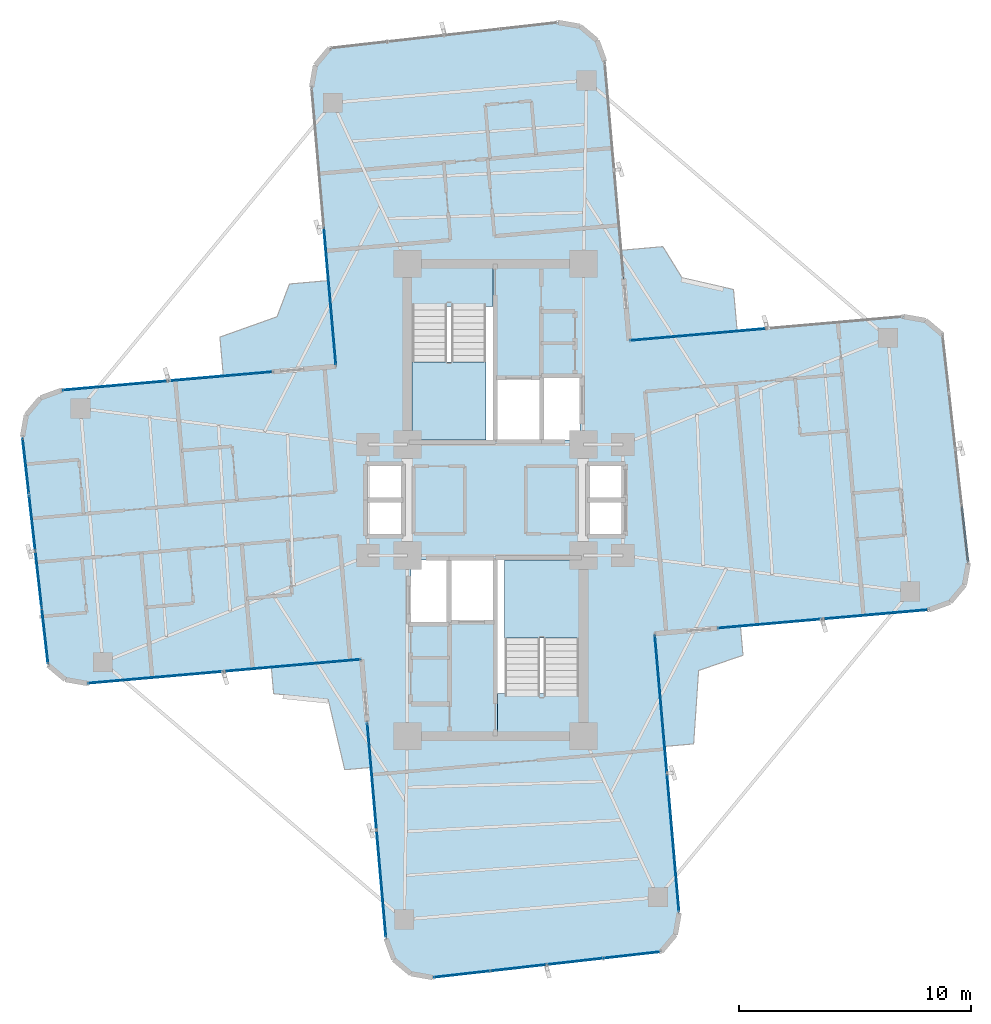
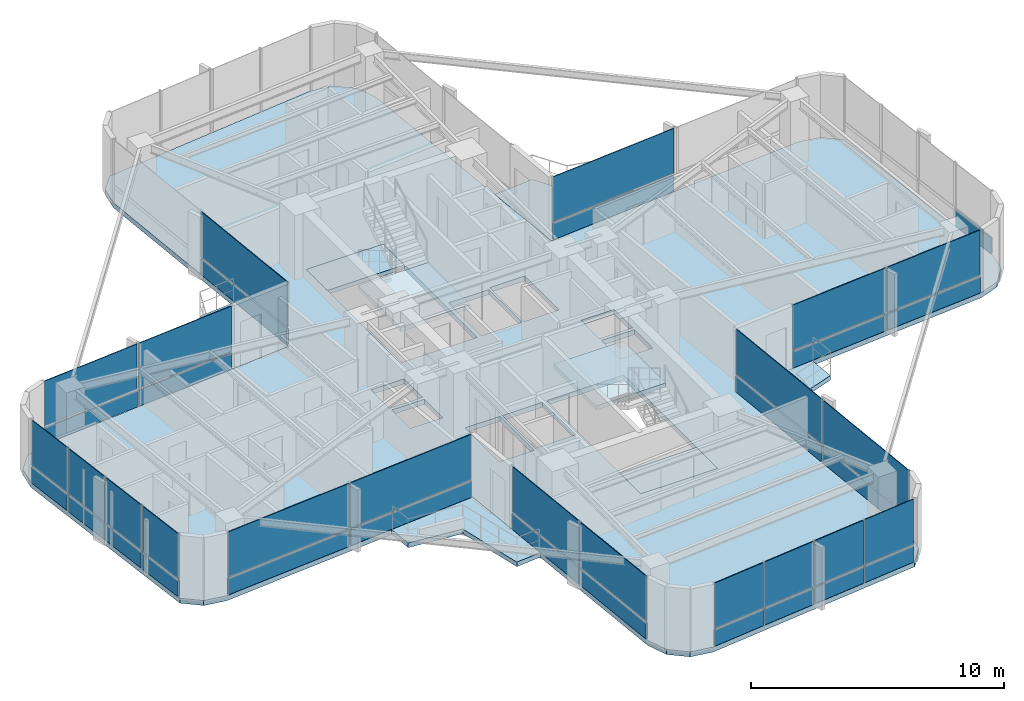
# One storey, part 19 of 24: 41 plates, 9 slabs, 12 elements without a shape of their own.
"""IFC4 building model written with IfcOpenShell, lengths in metres."""

from ifc_helpers import new_model, si_unit, direction, frame, origin, origin_2d, place, context, subcontext, project, spatial, polyline, rectangle, outline, extrude, source, transform, mapped, material, layer, layer_set, type_object, element, aggregate, save


model = new_model("IFC4")

# Units and contexts
model_context = context("Model", 3, precision=1e-05, world=origin(), true_north=direction((0.0, 1.0)))
body_context = subcontext(model_context, "Body", "Model", "MODEL_VIEW")
ifc_project = project(units=[si_unit("LENGTHUNIT", "METRE"), si_unit("AREAUNIT", "SQUARE_METRE"), si_unit("VOLUMEUNIT", "CUBIC_METRE"), si_unit("PLANEANGLEUNIT", "RADIAN"), si_unit("MASSUNIT", "GRAM", prefix="KILO")], contexts=[model_context])

# Site, building, storey
site_placement = place(None, origin())
site = spatial("IfcSite", under=ifc_project, at=site_placement, CompositionType="ELEMENT")
building_placement = place(site_placement, origin())
building = spatial("IfcBuilding", under=site, at=building_placement, Name="Sahyath Konkavel Grand Hotel", CompositionType="ELEMENT")
storey_placement = place(building_placement, frame((0.0, 0.0, 153.949951171875)))
storey = spatial("IfcBuildingStorey", under=building, at=storey_placement, Name="L42", CompositionType="ELEMENT", Elevation=153.949951171875)

# Slabs
ifc_material_1 = material(Name="Concrete C40/50", Category="concrete")
ifc_layer_1 = layer(ifc_material_1, 0.239990234375)
ifc_layer_set_1 = layer_set([ifc_layer_1], Name="Concrete C40/50")
slab_type_1 = type_object("IfcSlabType", Name="SLB-240", PredefinedType="FLOOR", material=ifc_layer_set_1)
slab_1_placement = place(storey_placement, frame((0.0, 0.0, -0.239990234375)))
element("IfcSlab", 1, at=slab_1_placement, inside=storey, type_object=slab_type_1, Name="L42 Structural Floor Slab", PredefinedType="FLOOR", context=body_context, shape_type="SweptSolid", body=[
    extrude(outline(polyline([(6.87939453125, -5.7724609375), (18.73388671875, -4.735107421875), (19.6337890625, -4.40771484375), (20.24951171875, -3.674072265625), (20.415771484375, -2.73095703125), (19.3037109375, 7.134521484375), (18.5703125, 7.75), (17.627197265625, 7.91650390625), (5.7724609375, 6.87939453125), (4.7177734375, 18.93310546875), (4.390380859375, 19.8330078125), (3.65673828125, 20.44873046875), (2.713623046875, 20.614990234375), (-7.152099609375, 19.5029296875), (-7.767578125, 18.769287109375), (-7.933837890625, 17.826416015625), (-6.87939453125, 5.7724609375), (-18.73388671875, 4.735107421875), (-19.6337890625, 4.40771484375), (-20.24951171875, 3.674072265625), (-20.415771484375, 2.73095703125), (-19.3037109375, -7.134521484375), (-18.5703125, -7.75), (-17.627197265625, -7.91650390625), (-5.7724609375, -6.87939453125), (-4.7177734375, -18.93310546875), (-4.390380859375, -19.8330078125), (-3.65673828125, -20.44873046875), (-2.713623046875, -20.614990234375), (7.152099609375, -19.5029296875), (7.767578125, -18.769287109375), (7.933837890625, -17.826416015625), (6.87939453125, -5.7724609375)]), holes=[polyline([(-3.6201171875, 2.580078125), (-0.10009765625, 2.580078125), (-0.10009765625, 10.02001953125), (-3.6201171875, 10.02001953125), (-3.6201171875, 2.580078125)]), polyline([(0.10009765625, -10.02001953125), (3.6201171875, -10.02001953125), (3.6201171875, -2.580078125), (0.10009765625, -2.580078125), (0.10009765625, -10.02001953125)]), polyline([(0.10009765625, 2.60009765625), (1.949951171875, 2.60009765625), (1.949951171875, 5.199951171875), (0.10009765625, 5.199951171875), (0.10009765625, 2.60009765625)]), polyline([(-1.949951171875, -5.199951171875), (-0.10009765625, -5.199951171875), (-0.10009765625, -2.60009765625), (-1.949951171875, -2.60009765625), (-1.949951171875, -5.199951171875)]), polyline([(2.050048828125, 2.60009765625), (3.64990234375, 2.60009765625), (3.64990234375, 5.300048828125), (2.050048828125, 5.300048828125), (2.050048828125, 2.60009765625)]), polyline([(-3.64990234375, -5.300048828125), (-2.050048828125, -5.300048828125), (-2.050048828125, -2.60009765625), (-3.64990234375, -2.60009765625), (-3.64990234375, -5.300048828125)]), polyline([(4.050048828125, 0.080078125), (5.550048828125, 0.080078125), (5.550048828125, 1.5400390625), (4.050048828125, 1.5400390625), (4.050048828125, 0.080078125)]), polyline([(4.050048828125, -1.5400390625), (5.550048828125, -1.5400390625), (5.550048828125, -0.080078125), (4.050048828125, -0.080078125), (4.050048828125, -1.5400390625)]), polyline([(-5.550048828125, 0.080078125), (-4.050048828125, 0.080078125), (-4.050048828125, 1.5400390625), (-5.550048828125, 1.5400390625), (-5.550048828125, 0.080078125)]), polyline([(-5.550048828125, -1.5400390625), (-4.050048828125, -1.5400390625), (-4.050048828125, -0.080078125), (-5.550048828125, -0.080078125), (-5.550048828125, -1.5400390625)])]), origin(), (0.0, 0.0, 1.0), 0.239990234375),
])
ifc_layer_2 = layer(ifc_material_1, 0.219970703125)
ifc_layer_set_2 = layer_set([ifc_layer_2], Name="Concrete C40/50")
slab_type_2 = type_object("IfcSlabType", Name="SLB-BALCONY-220", PredefinedType="FLOOR", material=ifc_layer_set_2)
slab_2_placement = place(storey_placement, frame((0.0, 0.0, -0.219970703125)))
element("IfcSlab", 2, at=slab_2_placement, inside=storey, type_object=slab_type_2, Name="L42 Winter-Garden Balcony NE", PredefinedType="FLOOR", context=body_context, shape_type="SweptSolid", body=[
    extrude(outline(polyline([(5.7724609375, 6.87939453125), (10.438720703125, 7.28759765625), (10.281005859375, 9.087890625), (8.05419921875, 9.598388671875), (7.2314453125, 10.93798828125), (5.43115234375, 10.780517578125), (5.7724609375, 6.87939453125)])), origin(), (0.0, 0.0, 1.0), 0.219970703125),
])
slab_3_placement = place(storey_placement, frame((0.0, 0.0, -0.219970703125)))
element("IfcSlab", 3, at=slab_3_placement, inside=storey, type_object=slab_type_2, Name="L42 Winter-Garden Balcony NW", PredefinedType="FLOOR", context=body_context, shape_type="SweptSolid", body=[
    extrude(outline(polyline([(-6.87939453125, 5.7724609375), (-7.203125, 9.473388671875), (-8.89013671875, 9.32568359375), (-9.42724609375, 7.910400390625), (-11.893310546875, 7.03369140625), (-11.74560546875, 5.3466796875), (-6.87939453125, 5.7724609375)])), origin(), (0.0, 0.0, 1.0), 0.219970703125),
])
slab_4_placement = place(storey_placement, frame((0.0, 0.0, -0.219970703125)))
element("IfcSlab", 4, at=slab_4_placement, inside=storey, type_object=slab_type_2, Name="L42 Winter-Garden Balcony SW", PredefinedType="FLOOR", context=body_context, shape_type="SweptSolid", body=[
    extrude(outline(polyline([(-5.7724609375, -6.87939453125), (-9.673583984375, -7.220703125), (-9.57373046875, -8.361083984375), (-7.2177734375, -8.601806640625), (-6.504638671875, -11.645263671875), (-5.3642578125, -11.54541015625), (-5.7724609375, -6.87939453125)])), origin(), (0.0, 0.0, 1.0), 0.219970703125),
])
slab_5_placement = place(storey_placement, frame((0.0, 0.0, -0.219970703125)))
element("IfcSlab", 5, at=slab_5_placement, inside=storey, type_object=slab_type_2, Name="L42 Winter-Garden Balcony SE", PredefinedType="FLOOR", context=body_context, shape_type="SweptSolid", body=[
    extrude(outline(polyline([(6.87939453125, -5.7724609375), (7.304931640625, -10.638916015625), (8.558837890625, -10.529052734375), (8.77294921875, -7.361328125), (10.689697265625, -6.702392578125), (10.580078125, -5.448486328125), (6.87939453125, -5.7724609375)])), origin(), (0.0, 0.0, 1.0), 0.219970703125),
])

# Stair, slab
stair_type = type_object("IfcStairType", Name="STR-ST16-335", PredefinedType="HALF_TURN_STAIR", material=ifc_material_1)
stair_1_placement = place(storey_placement, origin())
stair_1 = element("IfcStair", 6, at=stair_1_placement, inside=storey, type_object=stair_type, Name="L42 North Core Smokeproof Exit Stair ST-1", PredefinedType="HALF_TURN_STAIR")
ifc_layer_3 = layer(ifc_material_1, 0.199951171875)
ifc_layer_set_3 = layer_set([ifc_layer_3], Name="Concrete C40/50")
slab_type_3 = type_object("IfcSlabType", Name="SLB-STAIR-LND", PredefinedType="LANDING", material=ifc_layer_set_3)
slab_6_placement = place(storey_placement, frame((0.0, 0.0, 1.47509765625)))
slab_6 = element("IfcSlab", 7, at=slab_6_placement, type_object=slab_type_3, Name="ST-1 landing 1", PredefinedType="LANDING", context=body_context, shape_type="SweptSolid", body=[
    extrude(outline(polyline([(-3.60009765625, 5.9599609375), (-3.60009765625, 2.60009765625), (-0.39990234375, 2.60009765625), (-0.39990234375, 5.9599609375), (-3.60009765625, 5.9599609375)])), origin(), (0.0, 0.0, 1.0), 0.199951171875),
])
aggregate(stair_1, [slab_6])

stair_2_placement = place(storey_placement, origin())
stair_2 = element("IfcStair", 8, at=stair_2_placement, inside=storey, type_object=stair_type, Name="L42 South Core Smokeproof Exit Stair ST-2", PredefinedType="HALF_TURN_STAIR")
slab_7_placement = place(storey_placement, frame((0.0, 0.0, 1.47509765625)))
slab_7 = element("IfcSlab", 9, at=slab_7_placement, type_object=slab_type_3, Name="ST-2 landing 1", PredefinedType="LANDING", context=body_context, shape_type="SweptSolid", body=[
    extrude(outline(polyline([(3.60009765625, -5.9599609375), (3.60009765625, -2.60009765625), (0.39990234375, -2.60009765625), (0.39990234375, -5.9599609375), (3.60009765625, -5.9599609375)])), origin(), (0.0, 0.0, 1.0), 0.199951171875),
])
aggregate(stair_2, [slab_7])

# Slabs
slab_8_placement = place(storey_placement, frame((0.0, 0.0, -0.199951171875)))
element("IfcSlab", 10, at=slab_8_placement, inside=storey, type_object=slab_type_3, Name="L42 Stair ST-1 Floor Landing Slab", PredefinedType="LANDING", context=body_context, shape_type="SweptSolid", body=[
    extrude(outline(polyline([(-3.6201171875, 8.35009765625), (-0.10009765625, 8.35009765625), (-0.10009765625, 10.02001953125), (-3.6201171875, 10.02001953125), (-3.6201171875, 8.35009765625)])), origin(), (0.0, 0.0, 1.0), 0.199951171875),
])
slab_9_placement = place(storey_placement, frame((0.0, 0.0, -0.199951171875)))
element("IfcSlab", 11, at=slab_9_placement, inside=storey, type_object=slab_type_3, Name="L42 Stair ST-2 Floor Landing Slab", PredefinedType="LANDING", context=body_context, shape_type="SweptSolid", body=[
    extrude(outline(polyline([(0.10009765625, -10.02001953125), (3.6201171875, -10.02001953125), (3.6201171875, -8.35009765625), (0.10009765625, -8.35009765625), (0.10009765625, -10.02001953125)])), origin(), (0.0, 0.0, 1.0), 0.199951171875),
])

# Curtain wall, plates
ifc_material_2 = material(Name="Anodised Bronze Aluminium & Low-E Glazing", Category="aluminium")
curtain_wall_type = type_object("IfcCurtainWallType", Name="CW-ZONE3", PredefinedType="NOTDEFINED", material=ifc_material_2)
curtain_wall_1_placement = place(storey_placement, origin())
curtain_wall_1 = element("IfcCurtainWall", 12, at=curtain_wall_1_placement, inside=storey, type_object=curtain_wall_type, Name="L42 Unitised Curtain Wall F0", PredefinedType="NOTDEFINED")
ifc_material_3 = material(Name="Warm Buff Sandstone Cladding", Category="masonry")
ifc_layer_4 = layer(ifc_material_3, 0.074951171875)
ifc_layer_set_4 = layer_set([ifc_layer_4], Name="Warm Buff Sandstone Cladding")
plate_type_1 = type_object("IfcPlateType", Name="PNL-SPANDREL-STONE", PredefinedType="SHEET", material=ifc_layer_set_4)
shared_shape_1 = source(origin(), body_context, "Body", "SweptSolid", [
    extrude(rectangle(XDim=4.47998046875, YDim=0.074951171875, at=origin_2d()), origin(), (0.0, 0.0, 1.0), 0.77001953125),
])
plate_1_placement = place(storey_placement, frame((11.880126953125, -5.334716796875, 0.0400390625), z_axis=(0.0, 0.0, 1.0), x_axis=(0.996194698092, 0.087155742748, 0.0)))
plate_1 = element("IfcPlate", 13, at=plate_1_placement, type_object=plate_type_1, Name="L42 Sandstone Relief Spandrel Panel F0-0", PredefinedType="SHEET", context=body_context, shape_type="MappedRepresentation", body=[
    mapped(shared_shape_1, transform((0.0, 0.0, 0.0), scale=1.0)),
])
plate_2_placement = place(storey_placement, frame((16.4228515625, -4.9375, 0.0400390625), z_axis=(0.0, 0.0, 1.0), x_axis=(0.996194698092, 0.087155742748, 0.0)))
plate_2 = element("IfcPlate", 14, at=plate_2_placement, type_object=plate_type_1, Name="L42 Sandstone Relief Spandrel Panel F0-1", PredefinedType="SHEET", context=body_context, shape_type="MappedRepresentation", body=[
    mapped(shared_shape_1, transform((0.0, 0.0, 0.0), scale=1.0)),
])

curtain_wall_2_placement = place(storey_placement, origin())
curtain_wall_2 = element("IfcCurtainWall", 15, at=curtain_wall_2_placement, inside=storey, type_object=curtain_wall_type, Name="L42 Unitised Curtain Wall F16", PredefinedType="NOTDEFINED")
plate_3_placement = place(storey_placement, frame((-11.880126953125, 5.334716796875, 0.0400390625), z_axis=(0.0, 0.0, 1.0), x_axis=(-0.996194698092, -0.087155742748, 0.0)))
plate_3 = element("IfcPlate", 16, at=plate_3_placement, type_object=plate_type_1, Name="L42 Sandstone Relief Spandrel Panel F16-0", PredefinedType="SHEET", context=body_context, shape_type="MappedRepresentation", body=[
    mapped(shared_shape_1, transform((0.0, 0.0, 0.0), scale=1.0)),
])
plate_4_placement = place(storey_placement, frame((-16.4228515625, 4.9375, 0.0400390625), z_axis=(0.0, 0.0, 1.0), x_axis=(-0.996194698092, -0.087155742748, 0.0)))
plate_4 = element("IfcPlate", 17, at=plate_4_placement, type_object=plate_type_1, Name="L42 Sandstone Relief Spandrel Panel F16-1", PredefinedType="SHEET", context=body_context, shape_type="MappedRepresentation", body=[
    mapped(shared_shape_1, transform((0.0, 0.0, 0.0), scale=1.0)),
])

# Curtain wall, plate
curtain_wall_3_placement = place(storey_placement, origin())
curtain_wall_3 = element("IfcCurtainWall", 18, at=curtain_wall_3_placement, inside=storey, type_object=curtain_wall_type, Name="L42 Unitised Curtain Wall F4", PredefinedType="NOTDEFINED")
shared_shape_2 = source(origin(), body_context, "Body", "SweptSolid", [
    extrude(rectangle(XDim=2.382080078125, YDim=0.074951171875, at=origin_2d()), origin(), (0.0, 0.0, 1.0), 0.77001953125),
])
plate_5_placement = place(storey_placement, frame((20.2734375, -1.468017578125, 0.0400390625), z_axis=(0.0, 0.0, 1.0), x_axis=(-0.111989252568, 0.993709417943, 0.0)))
plate_5 = element("IfcPlate", 19, at=plate_5_placement, type_object=plate_type_1, Name="L42 Sandstone Relief Spandrel Panel F4-0", PredefinedType="SHEET", context=body_context, shape_type="MappedRepresentation", body=[
    mapped(shared_shape_2, transform((0.0, 0.0, 0.0), scale=1.0)),
])
aggregate(curtain_wall_3, [plate_5])

# Curtain wall, plates
curtain_wall_4_placement = place(storey_placement, origin())
curtain_wall_4 = element("IfcCurtainWall", 20, at=curtain_wall_4_placement, inside=storey, type_object=curtain_wall_type, Name="L42 Unitised Curtain Wall F20", PredefinedType="NOTDEFINED")
plate_6_placement = place(storey_placement, frame((-20.2734375, 1.468017578125, 0.0400390625), z_axis=(0.0, 0.0, 1.0), x_axis=(0.111989252568, -0.993709417943, 0.0)))
plate_6 = element("IfcPlate", 21, at=plate_6_placement, type_object=plate_type_1, Name="L42 Sandstone Relief Spandrel Panel F20-0", PredefinedType="SHEET", context=body_context, shape_type="MappedRepresentation", body=[
    mapped(shared_shape_2, transform((0.0, 0.0, 0.0), scale=1.0)),
])
plate_7_placement = place(storey_placement, frame((-19.99755859375, -0.978515625, 0.0400390625), z_axis=(0.0, 0.0, 1.0), x_axis=(0.111989252568, -0.993709417943, 0.0)))
plate_7 = element("IfcPlate", 22, at=plate_7_placement, type_object=plate_type_1, Name="L42 Sandstone Relief Spandrel Panel F20-1", PredefinedType="SHEET", context=body_context, shape_type="MappedRepresentation", body=[
    mapped(shared_shape_2, transform((0.0, 0.0, 0.0), scale=1.0)),
])
plate_8_placement = place(storey_placement, frame((-19.7216796875, -3.425048828125, 0.0400390625), z_axis=(0.0, 0.0, 1.0), x_axis=(0.111989252568, -0.993709417943, 0.0)))
plate_8 = element("IfcPlate", 23, at=plate_8_placement, type_object=plate_type_1, Name="L42 Sandstone Relief Spandrel Panel F20-2", PredefinedType="SHEET", context=body_context, shape_type="MappedRepresentation", body=[
    mapped(shared_shape_2, transform((0.0, 0.0, 0.0), scale=1.0)),
])
plate_9_placement = place(storey_placement, frame((-19.446044921875, -5.87158203125, 0.0400390625), z_axis=(0.0, 0.0, 1.0), x_axis=(0.111989252568, -0.993709417943, 0.0)))
plate_9 = element("IfcPlate", 24, at=plate_9_placement, type_object=plate_type_1, Name="L42 Sandstone Relief Spandrel Panel F20-3", PredefinedType="SHEET", context=body_context, shape_type="MappedRepresentation", body=[
    mapped(shared_shape_2, transform((0.0, 0.0, 0.0), scale=1.0)),
])

curtain_wall_5_placement = place(storey_placement, origin())
curtain_wall_5 = element("IfcCurtainWall", 25, at=curtain_wall_5_placement, inside=storey, type_object=curtain_wall_type, Name="L42 Unitised Curtain Wall F28", PredefinedType="NOTDEFINED")
plate_10_placement = place(storey_placement, frame((-1.45068359375, -20.47265625, 0.0400390625), z_axis=(0.0, 0.0, 1.0), x_axis=(0.993707463211, 0.112006596052, 0.0)))
plate_10 = element("IfcPlate", 26, at=plate_10_placement, type_object=plate_type_1, Name="L42 Sandstone Relief Spandrel Panel F28-0", PredefinedType="SHEET", context=body_context, shape_type="MappedRepresentation", body=[
    mapped(shared_shape_2, transform((0.0, 0.0, 0.0), scale=1.0)),
])
plate_11_placement = place(storey_placement, frame((0.995849609375, -20.197021484375, 0.0400390625), z_axis=(0.0, 0.0, 1.0), x_axis=(0.993707463211, 0.112006596052, 0.0)))
plate_11 = element("IfcPlate", 27, at=plate_11_placement, type_object=plate_type_1, Name="L42 Sandstone Relief Spandrel Panel F28-1", PredefinedType="SHEET", context=body_context, shape_type="MappedRepresentation", body=[
    mapped(shared_shape_2, transform((0.0, 0.0, 0.0), scale=1.0)),
])
plate_12_placement = place(storey_placement, frame((3.4423828125, -19.921142578125, 0.0400390625), z_axis=(0.0, 0.0, 1.0), x_axis=(0.993707463211, 0.112006596052, 0.0)))
plate_12 = element("IfcPlate", 28, at=plate_12_placement, type_object=plate_type_1, Name="L42 Sandstone Relief Spandrel Panel F28-2", PredefinedType="SHEET", context=body_context, shape_type="MappedRepresentation", body=[
    mapped(shared_shape_2, transform((0.0, 0.0, 0.0), scale=1.0)),
])
plate_13_placement = place(storey_placement, frame((5.888916015625, -19.6455078125, 0.0400390625), z_axis=(0.0, 0.0, 1.0), x_axis=(0.993707463211, 0.112006596052, 0.0)))
plate_13 = element("IfcPlate", 29, at=plate_13_placement, type_object=plate_type_1, Name="L42 Sandstone Relief Spandrel Panel F28-3", PredefinedType="SHEET", context=body_context, shape_type="MappedRepresentation", body=[
    mapped(shared_shape_2, transform((0.0, 0.0, 0.0), scale=1.0)),
])

# Curtain wall, plate
curtain_wall_6_placement = place(storey_placement, origin())
curtain_wall_6 = element("IfcCurtainWall", 30, at=curtain_wall_6_placement, inside=storey, type_object=curtain_wall_type, Name="L42 Unitised Curtain Wall F7", PredefinedType="NOTDEFINED")
shared_shape_3 = source(origin(), body_context, "Body", "SweptSolid", [
    extrude(rectangle(XDim=5.830078125, YDim=0.074951171875, at=origin_2d()), origin(), (0.0, 0.0, 1.0), 0.77001953125),
])
plate_14_placement = place(storey_placement, frame((8.756103515625, 7.140380859375, 0.0400390625), z_axis=(0.0, 0.0, 1.0), x_axis=(-0.996194698092, -0.087155742748, 0.0)))
plate_14 = element("IfcPlate", 31, at=plate_14_placement, type_object=plate_type_1, Name="L42 Sandstone Relief Spandrel Panel F7-1", PredefinedType="SHEET", context=body_context, shape_type="MappedRepresentation", body=[
    mapped(shared_shape_3, transform((0.0, 0.0, 0.0), scale=1.0)),
])

# Curtain wall, plates
curtain_wall_7_placement = place(storey_placement, origin())
curtain_wall_7 = element("IfcCurtainWall", 32, at=curtain_wall_7_placement, inside=storey, type_object=curtain_wall_type, Name="L42 Unitised Curtain Wall F23", PredefinedType="NOTDEFINED")
plate_15_placement = place(storey_placement, frame((-14.6435546875, -7.655517578125, 0.0400390625), z_axis=(0.0, 0.0, 1.0), x_axis=(0.996194698092, 0.087155742748, 0.0)))
plate_15 = element("IfcPlate", 33, at=plate_15_placement, type_object=plate_type_1, Name="L42 Sandstone Relief Spandrel Panel F23-0", PredefinedType="SHEET", context=body_context, shape_type="MappedRepresentation", body=[
    mapped(shared_shape_3, transform((0.0, 0.0, 0.0), scale=1.0)),
])
plate_16_placement = place(storey_placement, frame((-8.756103515625, -7.140380859375, 0.0400390625), z_axis=(0.0, 0.0, 1.0), x_axis=(0.996194698092, 0.087155742748, 0.0)))
plate_16 = element("IfcPlate", 34, at=plate_16_placement, type_object=plate_type_1, Name="L42 Sandstone Relief Spandrel Panel F23-1", PredefinedType="SHEET", context=body_context, shape_type="MappedRepresentation", body=[
    mapped(shared_shape_3, transform((0.0, 0.0, 0.0), scale=1.0)),
])

curtain_wall_8_placement = place(storey_placement, origin())
curtain_wall_8 = element("IfcCurtainWall", 35, at=curtain_wall_8_placement, inside=storey, type_object=curtain_wall_type, Name="L42 Unitised Curtain Wall F24", PredefinedType="NOTDEFINED")
shared_shape_4 = source(origin(), body_context, "Body", "SweptSolid", [
    extrude(rectangle(XDim=4.580078125, YDim=0.074951171875, at=origin_2d()), origin(), (0.0, 0.0, 1.0), 0.77001953125),
])
plate_17_placement = place(storey_placement, frame((-5.33056640625, -11.929931640625, 0.0400390625), z_axis=(0.0, 0.0, 1.0), x_axis=(0.087155742748, -0.996194698092, 0.0)))
plate_17 = element("IfcPlate", 36, at=plate_17_placement, type_object=plate_type_1, Name="L42 Sandstone Relief Spandrel Panel F24-0", PredefinedType="SHEET", context=body_context, shape_type="MappedRepresentation", body=[
    mapped(shared_shape_4, transform((0.0, 0.0, 0.0), scale=1.0)),
])
plate_18_placement = place(storey_placement, frame((-4.92431640625, -16.572265625, 0.0400390625), z_axis=(0.0, 0.0, 1.0), x_axis=(0.087155742748, -0.996194698092, 0.0)))
plate_18 = element("IfcPlate", 37, at=plate_18_placement, type_object=plate_type_1, Name="L42 Sandstone Relief Spandrel Panel F24-1", PredefinedType="SHEET", context=body_context, shape_type="MappedRepresentation", body=[
    mapped(shared_shape_4, transform((0.0, 0.0, 0.0), scale=1.0)),
])

# Curtain wall, plate
curtain_wall_9_placement = place(storey_placement, origin())
curtain_wall_9 = element("IfcCurtainWall", 38, at=curtain_wall_9_placement, inside=storey, type_object=curtain_wall_type, Name="L42 Unitised Curtain Wall F15", PredefinedType="NOTDEFINED")
shared_shape_5 = source(origin(), body_context, "Body", "SweptSolid", [
    extrude(rectangle(XDim=5.929931640625, YDim=0.074951171875, at=origin_2d()), origin(), (0.0, 0.0, 1.0), 0.77001953125),
])
plate_19_placement = place(storey_placement, frame((-7.144775390625, 8.805908203125, 0.0400390625), z_axis=(0.0, 0.0, 1.0), x_axis=(0.087155742748, -0.996194698092, 0.0)))
plate_19 = element("IfcPlate", 39, at=plate_19_placement, type_object=plate_type_1, Name="L42 Sandstone Relief Spandrel Panel F15-1", PredefinedType="SHEET", context=body_context, shape_type="MappedRepresentation", body=[
    mapped(shared_shape_5, transform((0.0, 0.0, 0.0), scale=1.0)),
])

# Curtain wall, plates
curtain_wall_10_placement = place(storey_placement, origin())
curtain_wall_10 = element("IfcCurtainWall", 40, at=curtain_wall_10_placement, inside=storey, type_object=curtain_wall_type, Name="L42 Unitised Curtain Wall F31", PredefinedType="NOTDEFINED")
plate_20_placement = place(storey_placement, frame((7.66845703125, -14.79296875, 0.0400390625), z_axis=(0.0, 0.0, 1.0), x_axis=(-0.087155742748, 0.996194698092, 0.0)))
plate_20 = element("IfcPlate", 41, at=plate_20_placement, type_object=plate_type_1, Name="L42 Sandstone Relief Spandrel Panel F31-0", PredefinedType="SHEET", context=body_context, shape_type="MappedRepresentation", body=[
    mapped(shared_shape_5, transform((0.0, 0.0, 0.0), scale=1.0)),
])
plate_21_placement = place(storey_placement, frame((7.144775390625, -8.805908203125, 0.0400390625), z_axis=(0.0, 0.0, 1.0), x_axis=(-0.087155742748, 0.996194698092, 0.0)))
plate_21 = element("IfcPlate", 42, at=plate_21_placement, type_object=plate_type_1, Name="L42 Sandstone Relief Spandrel Panel F31-1", PredefinedType="SHEET", context=body_context, shape_type="MappedRepresentation", body=[
    mapped(shared_shape_5, transform((0.0, 0.0, 0.0), scale=1.0)),
])

# Plate
ifc_material_4 = material(Name="Low-E Solar Control Double Glazing", Category="glass")
ifc_layer_5 = layer(ifc_material_4, 0.035888671875)
ifc_layer_set_5 = layer_set([ifc_layer_5], Name="Low-E Solar Control Double Glazing")
plate_type_2 = type_object("IfcPlateType", Name="PNL-VISION-LOWE", PredefinedType="CURTAIN_PANEL", material=ifc_layer_set_5)
shared_shape_6 = source(origin(), body_context, "Body", "SweptSolid", [
    extrude(rectangle(XDim=4.47998046875, YDim=0.035888671875, at=origin_2d()), origin(), (0.0, 0.0, 1.0), 2.179931640625),
])
plate_22_placement = place(storey_placement, frame((11.880126953125, -5.334716796875, 0.89013671875), z_axis=(0.0, 0.0, 1.0), x_axis=(0.996194698092, 0.087155742748, 0.0)))
plate_22 = element("IfcPlate", 43, at=plate_22_placement, type_object=plate_type_2, Name="L42 Low-E Vision Glazing Panel F0-0", PredefinedType="CURTAIN_PANEL", context=body_context, shape_type="MappedRepresentation", body=[
    mapped(shared_shape_6, transform((0.0, 0.0, 0.0), scale=1.0)),
])

plate_23_placement = place(storey_placement, frame((16.4228515625, -4.9375, 0.89013671875), z_axis=(0.0, 0.0, 1.0), x_axis=(0.996194698092, 0.087155742748, 0.0)))
plate_23 = element("IfcPlate", 44, at=plate_23_placement, type_object=plate_type_2, Name="L42 Low-E Vision Glazing Panel F0-1", PredefinedType="CURTAIN_PANEL", context=body_context, shape_type="MappedRepresentation", body=[
    mapped(shared_shape_6, transform((0.0, 0.0, 0.0), scale=1.0)),
])

aggregate(curtain_wall_1, [plate_1, plate_22, plate_2, plate_23])

plate_24_placement = place(storey_placement, frame((-11.880126953125, 5.334716796875, 0.89013671875), z_axis=(0.0, 0.0, 1.0), x_axis=(-0.996194698092, -0.087155742748, 0.0)))
plate_24 = element("IfcPlate", 45, at=plate_24_placement, type_object=plate_type_2, Name="L42 Low-E Vision Glazing Panel F16-0", PredefinedType="CURTAIN_PANEL", context=body_context, shape_type="MappedRepresentation", body=[
    mapped(shared_shape_6, transform((0.0, 0.0, 0.0), scale=1.0)),
])

plate_25_placement = place(storey_placement, frame((-16.4228515625, 4.9375, 0.89013671875), z_axis=(0.0, 0.0, 1.0), x_axis=(-0.996194698092, -0.087155742748, 0.0)))
plate_25 = element("IfcPlate", 46, at=plate_25_placement, type_object=plate_type_2, Name="L42 Low-E Vision Glazing Panel F16-1", PredefinedType="CURTAIN_PANEL", context=body_context, shape_type="MappedRepresentation", body=[
    mapped(shared_shape_6, transform((0.0, 0.0, 0.0), scale=1.0)),
])

aggregate(curtain_wall_2, [plate_3, plate_24, plate_4, plate_25])

shared_shape_7 = source(origin(), body_context, "Body", "SweptSolid", [
    extrude(rectangle(XDim=2.382080078125, YDim=0.035888671875, at=origin_2d()), origin(), (0.0, 0.0, 1.0), 2.179931640625),
])
plate_26_placement = place(storey_placement, frame((-20.2734375, 1.468017578125, 0.89013671875), z_axis=(0.0, 0.0, 1.0), x_axis=(0.111989252568, -0.993709417943, 0.0)))
plate_26 = element("IfcPlate", 47, at=plate_26_placement, type_object=plate_type_2, Name="L42 Low-E Vision Glazing Panel F20-0", PredefinedType="CURTAIN_PANEL", context=body_context, shape_type="MappedRepresentation", body=[
    mapped(shared_shape_7, transform((0.0, 0.0, 0.0), scale=1.0)),
])

plate_27_placement = place(storey_placement, frame((-19.99755859375, -0.978515625, 0.89013671875), z_axis=(0.0, 0.0, 1.0), x_axis=(0.111989252568, -0.993709417943, 0.0)))
plate_27 = element("IfcPlate", 48, at=plate_27_placement, type_object=plate_type_2, Name="L42 Low-E Vision Glazing Panel F20-1", PredefinedType="CURTAIN_PANEL", context=body_context, shape_type="MappedRepresentation", body=[
    mapped(shared_shape_7, transform((0.0, 0.0, 0.0), scale=1.0)),
])

plate_28_placement = place(storey_placement, frame((-19.7216796875, -3.425048828125, 0.89013671875), z_axis=(0.0, 0.0, 1.0), x_axis=(0.111989252568, -0.993709417943, 0.0)))
plate_28 = element("IfcPlate", 49, at=plate_28_placement, type_object=plate_type_2, Name="L42 Low-E Vision Glazing Panel F20-2", PredefinedType="CURTAIN_PANEL", context=body_context, shape_type="MappedRepresentation", body=[
    mapped(shared_shape_7, transform((0.0, 0.0, 0.0), scale=1.0)),
])

plate_29_placement = place(storey_placement, frame((-19.446044921875, -5.87158203125, 0.89013671875), z_axis=(0.0, 0.0, 1.0), x_axis=(0.111989252568, -0.993709417943, 0.0)))
plate_29 = element("IfcPlate", 50, at=plate_29_placement, type_object=plate_type_2, Name="L42 Low-E Vision Glazing Panel F20-3", PredefinedType="CURTAIN_PANEL", context=body_context, shape_type="MappedRepresentation", body=[
    mapped(shared_shape_7, transform((0.0, 0.0, 0.0), scale=1.0)),
])

aggregate(curtain_wall_4, [plate_6, plate_26, plate_7, plate_27, plate_8, plate_28, plate_9, plate_29])

plate_30_placement = place(storey_placement, frame((-1.45068359375, -20.47265625, 0.89013671875), z_axis=(0.0, 0.0, 1.0), x_axis=(0.993707463211, 0.112006596052, 0.0)))
plate_30 = element("IfcPlate", 51, at=plate_30_placement, type_object=plate_type_2, Name="L42 Low-E Vision Glazing Panel F28-0", PredefinedType="CURTAIN_PANEL", context=body_context, shape_type="MappedRepresentation", body=[
    mapped(shared_shape_7, transform((0.0, 0.0, 0.0), scale=1.0)),
])

plate_31_placement = place(storey_placement, frame((0.995849609375, -20.197021484375, 0.89013671875), z_axis=(0.0, 0.0, 1.0), x_axis=(0.993707463211, 0.112006596052, 0.0)))
plate_31 = element("IfcPlate", 52, at=plate_31_placement, type_object=plate_type_2, Name="L42 Low-E Vision Glazing Panel F28-1", PredefinedType="CURTAIN_PANEL", context=body_context, shape_type="MappedRepresentation", body=[
    mapped(shared_shape_7, transform((0.0, 0.0, 0.0), scale=1.0)),
])

plate_32_placement = place(storey_placement, frame((3.4423828125, -19.921142578125, 0.89013671875), z_axis=(0.0, 0.0, 1.0), x_axis=(0.993707463211, 0.112006596052, 0.0)))
plate_32 = element("IfcPlate", 53, at=plate_32_placement, type_object=plate_type_2, Name="L42 Low-E Vision Glazing Panel F28-2", PredefinedType="CURTAIN_PANEL", context=body_context, shape_type="MappedRepresentation", body=[
    mapped(shared_shape_7, transform((0.0, 0.0, 0.0), scale=1.0)),
])

plate_33_placement = place(storey_placement, frame((5.888916015625, -19.6455078125, 0.89013671875), z_axis=(0.0, 0.0, 1.0), x_axis=(0.993707463211, 0.112006596052, 0.0)))
plate_33 = element("IfcPlate", 54, at=plate_33_placement, type_object=plate_type_2, Name="L42 Low-E Vision Glazing Panel F28-3", PredefinedType="CURTAIN_PANEL", context=body_context, shape_type="MappedRepresentation", body=[
    mapped(shared_shape_7, transform((0.0, 0.0, 0.0), scale=1.0)),
])

aggregate(curtain_wall_5, [plate_10, plate_30, plate_11, plate_31, plate_12, plate_32, plate_13, plate_33])

shared_shape_8 = source(origin(), body_context, "Body", "SweptSolid", [
    extrude(rectangle(XDim=5.830078125, YDim=0.035888671875, at=origin_2d()), origin(), (0.0, 0.0, 1.0), 2.179931640625),
])
plate_34_placement = place(storey_placement, frame((8.756103515625, 7.140380859375, 0.89013671875), z_axis=(0.0, 0.0, 1.0), x_axis=(-0.996194698092, -0.087155742748, 0.0)))
plate_34 = element("IfcPlate", 55, at=plate_34_placement, type_object=plate_type_2, Name="L42 Low-E Vision Glazing Panel F7-1", PredefinedType="CURTAIN_PANEL", context=body_context, shape_type="MappedRepresentation", body=[
    mapped(shared_shape_8, transform((0.0, 0.0, 0.0), scale=1.0)),
])

aggregate(curtain_wall_6, [plate_14, plate_34])

plate_35_placement = place(storey_placement, frame((-14.6435546875, -7.655517578125, 0.89013671875), z_axis=(0.0, 0.0, 1.0), x_axis=(0.996194698092, 0.087155742748, 0.0)))
plate_35 = element("IfcPlate", 56, at=plate_35_placement, type_object=plate_type_2, Name="L42 Low-E Vision Glazing Panel F23-0", PredefinedType="CURTAIN_PANEL", context=body_context, shape_type="MappedRepresentation", body=[
    mapped(shared_shape_8, transform((0.0, 0.0, 0.0), scale=1.0)),
])

plate_36_placement = place(storey_placement, frame((-8.756103515625, -7.140380859375, 0.89013671875), z_axis=(0.0, 0.0, 1.0), x_axis=(0.996194698092, 0.087155742748, 0.0)))
plate_36 = element("IfcPlate", 57, at=plate_36_placement, type_object=plate_type_2, Name="L42 Low-E Vision Glazing Panel F23-1", PredefinedType="CURTAIN_PANEL", context=body_context, shape_type="MappedRepresentation", body=[
    mapped(shared_shape_8, transform((0.0, 0.0, 0.0), scale=1.0)),
])

aggregate(curtain_wall_7, [plate_15, plate_35, plate_16, plate_36])

shared_shape_9 = source(origin(), body_context, "Body", "SweptSolid", [
    extrude(rectangle(XDim=4.580078125, YDim=0.035888671875, at=origin_2d()), origin(), (0.0, 0.0, 1.0), 2.179931640625),
])
plate_37_placement = place(storey_placement, frame((-5.33056640625, -11.929931640625, 0.89013671875), z_axis=(0.0, 0.0, 1.0), x_axis=(0.087155742748, -0.996194698092, 0.0)))
plate_37 = element("IfcPlate", 58, at=plate_37_placement, type_object=plate_type_2, Name="L42 Low-E Vision Glazing Panel F24-0", PredefinedType="CURTAIN_PANEL", context=body_context, shape_type="MappedRepresentation", body=[
    mapped(shared_shape_9, transform((0.0, 0.0, 0.0), scale=1.0)),
])

plate_38_placement = place(storey_placement, frame((-4.92431640625, -16.572265625, 0.89013671875), z_axis=(0.0, 0.0, 1.0), x_axis=(0.087155742748, -0.996194698092, 0.0)))
plate_38 = element("IfcPlate", 59, at=plate_38_placement, type_object=plate_type_2, Name="L42 Low-E Vision Glazing Panel F24-1", PredefinedType="CURTAIN_PANEL", context=body_context, shape_type="MappedRepresentation", body=[
    mapped(shared_shape_9, transform((0.0, 0.0, 0.0), scale=1.0)),
])

aggregate(curtain_wall_8, [plate_17, plate_37, plate_18, plate_38])

shared_shape_10 = source(origin(), body_context, "Body", "SweptSolid", [
    extrude(rectangle(XDim=5.929931640625, YDim=0.035888671875, at=origin_2d()), origin(), (0.0, 0.0, 1.0), 2.179931640625),
])
plate_39_placement = place(storey_placement, frame((-7.144775390625, 8.805908203125, 0.89013671875), z_axis=(0.0, 0.0, 1.0), x_axis=(0.087155742748, -0.996194698092, 0.0)))
plate_39 = element("IfcPlate", 60, at=plate_39_placement, type_object=plate_type_2, Name="L42 Low-E Vision Glazing Panel F15-1", PredefinedType="CURTAIN_PANEL", context=body_context, shape_type="MappedRepresentation", body=[
    mapped(shared_shape_10, transform((0.0, 0.0, 0.0), scale=1.0)),
])

aggregate(curtain_wall_9, [plate_19, plate_39])

plate_40_placement = place(storey_placement, frame((7.66845703125, -14.79296875, 0.89013671875), z_axis=(0.0, 0.0, 1.0), x_axis=(-0.087155742748, 0.996194698092, 0.0)))
plate_40 = element("IfcPlate", 61, at=plate_40_placement, type_object=plate_type_2, Name="L42 Low-E Vision Glazing Panel F31-0", PredefinedType="CURTAIN_PANEL", context=body_context, shape_type="MappedRepresentation", body=[
    mapped(shared_shape_10, transform((0.0, 0.0, 0.0), scale=1.0)),
])

plate_41_placement = place(storey_placement, frame((7.144775390625, -8.805908203125, 0.89013671875), z_axis=(0.0, 0.0, 1.0), x_axis=(-0.087155742748, 0.996194698092, 0.0)))
plate_41 = element("IfcPlate", 62, at=plate_41_placement, type_object=plate_type_2, Name="L42 Low-E Vision Glazing Panel F31-1", PredefinedType="CURTAIN_PANEL", context=body_context, shape_type="MappedRepresentation", body=[
    mapped(shared_shape_10, transform((0.0, 0.0, 0.0), scale=1.0)),
])

aggregate(curtain_wall_10, [plate_20, plate_40, plate_21, plate_41])

save(model, "model.ifc")
